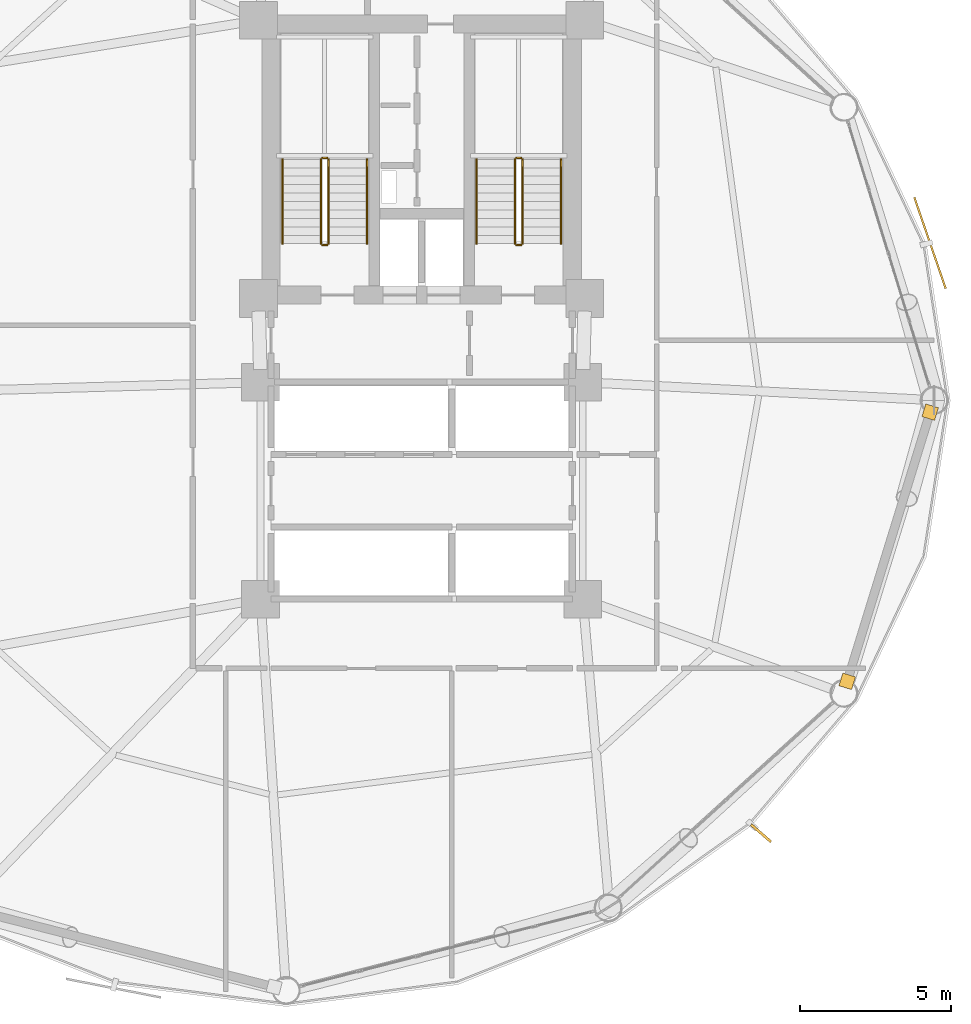
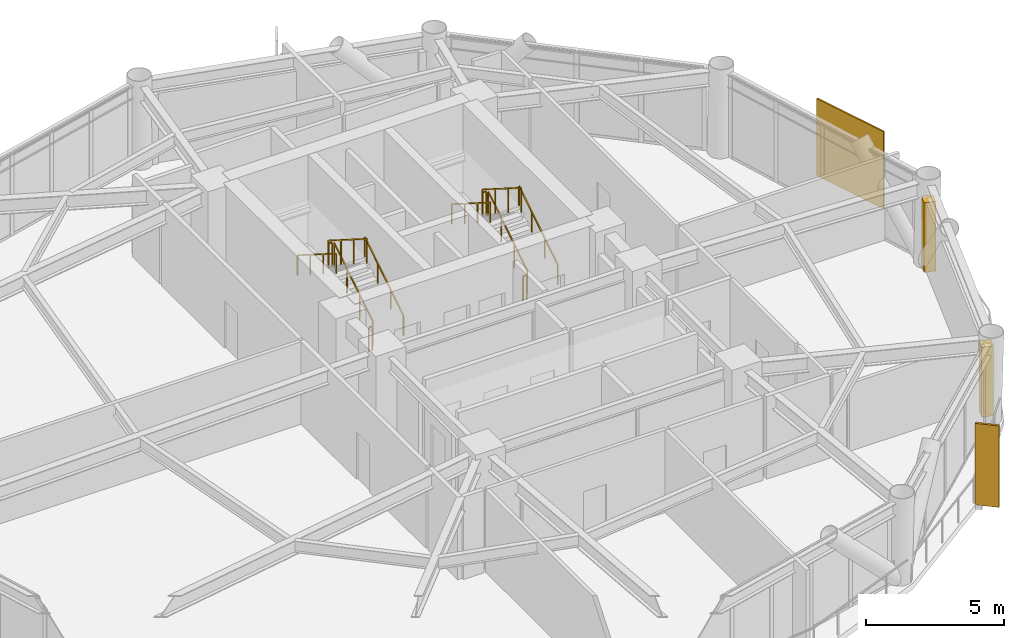
# One storey, part 24 of 25: 12 railings, 2 coverings, 2 shading devices.
"""IFC4 building model written with IfcOpenShell, lengths in metres."""

from ifc_helpers import new_model, si_unit, direction, frame, origin, origin_2d, place, context, subcontext, project, spatial, rectangle, extrude, source, transform, mapped, material, layer, layer_set, type_object, type_shapes, element, save


model = new_model("IFC4")

# Units and contexts
model_context = context("Model", 3, precision=1e-05, world=origin(), true_north=direction((0.0, 1.0)))
body_context = subcontext(model_context, "Body", "Model", "MODEL_VIEW")
ifc_project = project(units=[si_unit("LENGTHUNIT", "METRE"), si_unit("AREAUNIT", "SQUARE_METRE"), si_unit("VOLUMEUNIT", "CUBIC_METRE"), si_unit("PLANEANGLEUNIT", "RADIAN"), si_unit("MASSUNIT", "GRAM", prefix="KILO")], contexts=[model_context])

# Site, building, storey
site_placement = place(None, origin())
site = spatial("IfcSite", under=ifc_project, at=site_placement, CompositionType="ELEMENT")
building_placement = place(site_placement, origin())
building = spatial("IfcBuilding", under=site, at=building_placement, Name="Varnakorn Sky Granary", CompositionType="ELEMENT")
storey_placement = place(building_placement, frame((0.0, 0.0, 62.699951171875)))
storey = spatial("IfcBuildingStorey", under=building, at=storey_placement, Name="L15", CompositionType="ELEMENT", Elevation=62.699951171875)

# Railings
ifc_material_1 = material(Name="Brushed Stainless Steel 316", Category="steel")
railing_type_1 = type_object("IfcRailingType", Name="RL-STAIR-1100", PredefinedType="GUARDRAIL", material=ifc_material_1)
railing_1_placement = place(storey_placement, frame((-0.090087890625, 5.199951171875, 0.17724609375)))
element("IfcRailing", 1, at=railing_1_placement, inside=storey, type_object=railing_type_1, Name="L15 ST-1 stair guard 1", PredefinedType="GUARDRAIL", context=body_context, shape_type="SweptSolid", body=[
    extrude(rectangle(XDim=0.048095703125, YDim=0.048095703125, at=origin_2d()), frame((0.0, 0.0, 1.076171875), z_axis=(0.0, 0.844908973607, 0.534910110503), x_axis=(-1.0, 0.0, 0.0)), (0.0, 0.0, 1.0), 3.31396484375),
    extrude(rectangle(XDim=0.0419921875, YDim=0.0419921875, at=origin_2d()), origin(), (0.0, 0.0, 1.0), 1.048095703125),
    extrude(rectangle(XDim=0.0419921875, YDim=0.0419921875, at=origin_2d()), frame((0.0, 0.933349609375, 0.5908203125)), (0.0, 0.0, 1.0), 1.048095703125),
    extrude(rectangle(XDim=0.0419921875, YDim=0.0419921875, at=origin_2d()), frame((0.0, 1.86669921875, 1.181884765625)), (0.0, 0.0, 1.0), 1.048095703125),
    extrude(rectangle(XDim=0.0419921875, YDim=0.0419921875, at=origin_2d()), frame((0.0, 2.800048828125, 1.772705078125)), (0.0, 0.0, 1.0), 1.048095703125),
])
railing_2_placement = place(storey_placement, frame((-0.139892578125, 8.050048828125, 1.949951171875)))
element("IfcRailing", 2, at=railing_2_placement, inside=storey, type_object=railing_type_1, Name="L15 ST-1 stair guard 2", PredefinedType="GUARDRAIL", context=body_context, shape_type="SweptSolid", body=[
    extrude(rectangle(XDim=0.048095703125, YDim=0.048095703125, at=origin_2d()), frame((0.0, 0.0, 1.076171875), z_axis=(-1.0, 0.0, 0.0), x_axis=(0.0, -1.0, 0.0)), (0.0, 0.0, 1.0), 0.150146484375),
    extrude(rectangle(XDim=0.0419921875, YDim=0.0419921875, at=origin_2d()), origin(), (0.0, 0.0, 1.0), 1.048095703125),
    extrude(rectangle(XDim=0.0419921875, YDim=0.0419921875, at=origin_2d()), frame((-0.150146484375, 0.0, 0.0)), (0.0, 0.0, 1.0), 1.048095703125),
])
railing_3_placement = place(storey_placement, frame((-0.340087890625, 8.0, 2.12744140625)))
element("IfcRailing", 3, at=railing_3_placement, inside=storey, type_object=railing_type_1, Name="L15 ST-1 stair guard 3", PredefinedType="GUARDRAIL", context=body_context, shape_type="SweptSolid", body=[
    extrude(rectangle(XDim=0.048095703125, YDim=0.048095703125, at=origin_2d()), frame((0.0, 0.0, 1.076171875), z_axis=(0.0, -0.844908973607, 0.534910110503), x_axis=(1.0, 0.0, 0.0)), (0.0, 0.0, 1.0), 3.31396484375),
    extrude(rectangle(XDim=0.0419921875, YDim=0.0419921875, at=origin_2d()), origin(), (0.0, 0.0, 1.0), 1.048095703125),
    extrude(rectangle(XDim=0.0419921875, YDim=0.0419921875, at=origin_2d()), frame((0.0, -0.933349609375, 0.5908203125)), (0.0, 0.0, 1.0), 1.048095703125),
    extrude(rectangle(XDim=0.0419921875, YDim=0.0419921875, at=origin_2d()), frame((0.0, -1.86669921875, 1.181884765625)), (0.0, 0.0, 1.0), 1.048095703125),
    extrude(rectangle(XDim=0.0419921875, YDim=0.0419921875, at=origin_2d()), frame((0.0, -2.800048828125, 1.772705078125)), (0.0, 0.0, 1.0), 1.048095703125),
])
railing_4_placement = place(storey_placement, frame((-0.139892578125, 5.14990234375, 0.0)))
element("IfcRailing", 4, at=railing_4_placement, inside=storey, type_object=railing_type_1, Name="L15 ST-1 stair guard 4", PredefinedType="GUARDRAIL", context=body_context, shape_type="SweptSolid", body=[
    extrude(rectangle(XDim=0.048095703125, YDim=0.048095703125, at=origin_2d()), frame((0.0, 0.0, 1.076171875), z_axis=(-1.0, 0.0, 0.0), x_axis=(0.0, -1.0, 0.0)), (0.0, 0.0, 1.0), 0.150146484375),
    extrude(rectangle(XDim=0.0419921875, YDim=0.0419921875, at=origin_2d()), origin(), (0.0, 0.0, 1.0), 1.048095703125),
    extrude(rectangle(XDim=0.0419921875, YDim=0.0419921875, at=origin_2d()), frame((-0.150146484375, 0.0, 0.0)), (0.0, 0.0, 1.0), 1.048095703125),
])
railing_5_placement = place(storey_placement, frame((6.35009765625, 5.199951171875, 0.17724609375)))
element("IfcRailing", 5, at=railing_5_placement, inside=storey, type_object=railing_type_1, Name="L15 ST-2 stair guard 1", PredefinedType="GUARDRAIL", context=body_context, shape_type="SweptSolid", body=[
    extrude(rectangle(XDim=0.048095703125, YDim=0.048095703125, at=origin_2d()), frame((0.0, 0.0, 1.076171875), z_axis=(0.0, 0.844908973607, 0.534910110503), x_axis=(-1.0, 0.0, 0.0)), (0.0, 0.0, 1.0), 3.31396484375),
    extrude(rectangle(XDim=0.0419921875, YDim=0.0419921875, at=origin_2d()), origin(), (0.0, 0.0, 1.0), 1.048095703125),
    extrude(rectangle(XDim=0.0419921875, YDim=0.0419921875, at=origin_2d()), frame((0.0, 0.933349609375, 0.5908203125)), (0.0, 0.0, 1.0), 1.048095703125),
    extrude(rectangle(XDim=0.0419921875, YDim=0.0419921875, at=origin_2d()), frame((0.0, 1.86669921875, 1.181884765625)), (0.0, 0.0, 1.0), 1.048095703125),
    extrude(rectangle(XDim=0.0419921875, YDim=0.0419921875, at=origin_2d()), frame((0.0, 2.800048828125, 1.772705078125)), (0.0, 0.0, 1.0), 1.048095703125),
])
railing_6_placement = place(storey_placement, frame((6.300048828125, 8.050048828125, 1.949951171875)))
element("IfcRailing", 6, at=railing_6_placement, inside=storey, type_object=railing_type_1, Name="L15 ST-2 stair guard 2", PredefinedType="GUARDRAIL", context=body_context, shape_type="SweptSolid", body=[
    extrude(rectangle(XDim=0.048095703125, YDim=0.048095703125, at=origin_2d()), frame((0.0, 0.0, 1.076171875), z_axis=(-1.0, 0.0, 0.0), x_axis=(0.0, -1.0, 0.0)), (0.0, 0.0, 1.0), 0.150146484375),
    extrude(rectangle(XDim=0.0419921875, YDim=0.0419921875, at=origin_2d()), origin(), (0.0, 0.0, 1.0), 1.048095703125),
    extrude(rectangle(XDim=0.0419921875, YDim=0.0419921875, at=origin_2d()), frame((-0.150146484375, 0.0, 0.0)), (0.0, 0.0, 1.0), 1.048095703125),
])
railing_7_placement = place(storey_placement, frame((6.10009765625, 8.0, 2.12744140625)))
element("IfcRailing", 7, at=railing_7_placement, inside=storey, type_object=railing_type_1, Name="L15 ST-2 stair guard 3", PredefinedType="GUARDRAIL", context=body_context, shape_type="SweptSolid", body=[
    extrude(rectangle(XDim=0.048095703125, YDim=0.048095703125, at=origin_2d()), frame((0.0, 0.0, 1.076171875), z_axis=(0.0, -0.844908973607, 0.534910110503), x_axis=(1.0, 0.0, 0.0)), (0.0, 0.0, 1.0), 3.31396484375),
    extrude(rectangle(XDim=0.0419921875, YDim=0.0419921875, at=origin_2d()), origin(), (0.0, 0.0, 1.0), 1.048095703125),
    extrude(rectangle(XDim=0.0419921875, YDim=0.0419921875, at=origin_2d()), frame((0.0, -0.933349609375, 0.5908203125)), (0.0, 0.0, 1.0), 1.048095703125),
    extrude(rectangle(XDim=0.0419921875, YDim=0.0419921875, at=origin_2d()), frame((0.0, -1.86669921875, 1.181884765625)), (0.0, 0.0, 1.0), 1.048095703125),
    extrude(rectangle(XDim=0.0419921875, YDim=0.0419921875, at=origin_2d()), frame((0.0, -2.800048828125, 1.772705078125)), (0.0, 0.0, 1.0), 1.048095703125),
])
railing_8_placement = place(storey_placement, frame((6.300048828125, 5.14990234375, 0.0)))
element("IfcRailing", 8, at=railing_8_placement, inside=storey, type_object=railing_type_1, Name="L15 ST-2 stair guard 4", PredefinedType="GUARDRAIL", context=body_context, shape_type="SweptSolid", body=[
    extrude(rectangle(XDim=0.048095703125, YDim=0.048095703125, at=origin_2d()), frame((0.0, 0.0, 1.076171875), z_axis=(-1.0, 0.0, 0.0), x_axis=(0.0, -1.0, 0.0)), (0.0, 0.0, 1.0), 0.150146484375),
    extrude(rectangle(XDim=0.0419921875, YDim=0.0419921875, at=origin_2d()), origin(), (0.0, 0.0, 1.0), 1.048095703125),
    extrude(rectangle(XDim=0.0419921875, YDim=0.0419921875, at=origin_2d()), frame((-0.150146484375, 0.0, 0.0)), (0.0, 0.0, 1.0), 1.048095703125),
])
railing_type_2 = type_object("IfcRailingType", Name="RL-STAIR-920", PredefinedType="HANDRAIL", material=ifc_material_1)
railing_9_placement = place(storey_placement, frame((1.18994140625, 5.199951171875, 0.17724609375)))
element("IfcRailing", 9, at=railing_9_placement, inside=storey, type_object=railing_type_2, Name="L15 ST-1 stair handrail 1", PredefinedType="HANDRAIL", context=body_context, shape_type="SweptSolid", body=[
    extrude(rectangle(XDim=0.048095703125, YDim=0.048095703125, at=origin_2d()), frame((0.0, 0.0, 0.8759765625), z_axis=(0.0, 0.844908973607, 0.534910110503), x_axis=(-1.0, 0.0, 0.0)), (0.0, 0.0, 1.0), 3.31396484375),
    extrude(rectangle(XDim=0.0419921875, YDim=0.0419921875, at=origin_2d()), origin(), (0.0, 0.0, 1.0), 0.847900390625),
    extrude(rectangle(XDim=0.0419921875, YDim=0.0419921875, at=origin_2d()), frame((0.0, 0.933349609375, 0.5908203125)), (0.0, 0.0, 1.0), 0.847900390625),
    extrude(rectangle(XDim=0.0419921875, YDim=0.0419921875, at=origin_2d()), frame((0.0, 1.86669921875, 1.181884765625)), (0.0, 0.0, 1.0), 0.847900390625),
    extrude(rectangle(XDim=0.0419921875, YDim=0.0419921875, at=origin_2d()), frame((0.0, 2.800048828125, 1.772705078125)), (0.0, 0.0, 1.0), 0.847900390625),
])
railing_10_placement = place(storey_placement, frame((-1.6201171875, 8.0, 2.12744140625)))
element("IfcRailing", 10, at=railing_10_placement, inside=storey, type_object=railing_type_2, Name="L15 ST-1 stair handrail 2", PredefinedType="HANDRAIL", context=body_context, shape_type="SweptSolid", body=[
    extrude(rectangle(XDim=0.048095703125, YDim=0.048095703125, at=origin_2d()), frame((0.0, 0.0, 0.8759765625), z_axis=(0.0, -0.844908973607, 0.534910110503), x_axis=(1.0, 0.0, 0.0)), (0.0, 0.0, 1.0), 3.31396484375),
    extrude(rectangle(XDim=0.0419921875, YDim=0.0419921875, at=origin_2d()), origin(), (0.0, 0.0, 1.0), 0.847900390625),
    extrude(rectangle(XDim=0.0419921875, YDim=0.0419921875, at=origin_2d()), frame((0.0, -0.933349609375, 0.5908203125)), (0.0, 0.0, 1.0), 0.847900390625),
    extrude(rectangle(XDim=0.0419921875, YDim=0.0419921875, at=origin_2d()), frame((0.0, -1.86669921875, 1.181884765625)), (0.0, 0.0, 1.0), 0.847900390625),
    extrude(rectangle(XDim=0.0419921875, YDim=0.0419921875, at=origin_2d()), frame((0.0, -2.800048828125, 1.772705078125)), (0.0, 0.0, 1.0), 0.847900390625),
])
railing_11_placement = place(storey_placement, frame((7.6298828125, 5.199951171875, 0.17724609375)))
element("IfcRailing", 11, at=railing_11_placement, inside=storey, type_object=railing_type_2, Name="L15 ST-2 stair handrail 1", PredefinedType="HANDRAIL", context=body_context, shape_type="SweptSolid", body=[
    extrude(rectangle(XDim=0.048095703125, YDim=0.048095703125, at=origin_2d()), frame((0.0, 0.0, 0.8759765625), z_axis=(0.0, 0.844908973607, 0.534910110503), x_axis=(-1.0, 0.0, 0.0)), (0.0, 0.0, 1.0), 3.31396484375),
    extrude(rectangle(XDim=0.0419921875, YDim=0.0419921875, at=origin_2d()), origin(), (0.0, 0.0, 1.0), 0.847900390625),
    extrude(rectangle(XDim=0.0419921875, YDim=0.0419921875, at=origin_2d()), frame((0.0, 0.933349609375, 0.5908203125)), (0.0, 0.0, 1.0), 0.847900390625),
    extrude(rectangle(XDim=0.0419921875, YDim=0.0419921875, at=origin_2d()), frame((0.0, 1.86669921875, 1.181884765625)), (0.0, 0.0, 1.0), 0.847900390625),
    extrude(rectangle(XDim=0.0419921875, YDim=0.0419921875, at=origin_2d()), frame((0.0, 2.800048828125, 1.772705078125)), (0.0, 0.0, 1.0), 0.847900390625),
])
railing_12_placement = place(storey_placement, frame((4.820068359375, 8.0, 2.12744140625)))
element("IfcRailing", 12, at=railing_12_placement, inside=storey, type_object=railing_type_2, Name="L15 ST-2 stair handrail 2", PredefinedType="HANDRAIL", context=body_context, shape_type="SweptSolid", body=[
    extrude(rectangle(XDim=0.048095703125, YDim=0.048095703125, at=origin_2d()), frame((0.0, 0.0, 0.8759765625), z_axis=(0.0, -0.844908973607, 0.534910110503), x_axis=(1.0, 0.0, 0.0)), (0.0, 0.0, 1.0), 3.31396484375),
    extrude(rectangle(XDim=0.0419921875, YDim=0.0419921875, at=origin_2d()), origin(), (0.0, 0.0, 1.0), 0.847900390625),
    extrude(rectangle(XDim=0.0419921875, YDim=0.0419921875, at=origin_2d()), frame((0.0, -0.933349609375, 0.5908203125)), (0.0, 0.0, 1.0), 0.847900390625),
    extrude(rectangle(XDim=0.0419921875, YDim=0.0419921875, at=origin_2d()), frame((0.0, -1.86669921875, 1.181884765625)), (0.0, 0.0, 1.0), 0.847900390625),
    extrude(rectangle(XDim=0.0419921875, YDim=0.0419921875, at=origin_2d()), frame((0.0, -2.800048828125, 1.772705078125)), (0.0, 0.0, 1.0), 0.847900390625),
])

# Shading device
ifc_material_2 = material(Name="Anodised Bronze Aluminium Alloy 6063-T6", Category="aluminium")
shading_device_type_1 = type_object("IfcShadingDeviceType", Name="SH-FIN-01", PredefinedType="USERDEFINED", material=ifc_material_2)
shared_shape_1 = source(origin(), body_context, "Body", "SweptSolid", [
    extrude(rectangle(XDim=0.0849609375, YDim=0.8798828125, at=origin_2d()), origin(), (0.0, 0.0, 1.0), 3.60009765625),
])
type_shapes(shading_device_type_1, [shared_shape_1])
shading_device_1_placement = place(storey_placement, frame((14.26806640625, -14.374267578125, -0.0400390625), z_axis=(0.0, 0.0, 1.0), x_axis=(0.654424889616, 0.756127015686, 0.0)))
element("IfcShadingDevice", 13, at=shading_device_1_placement, inside=storey, type_object=shading_device_type_1, Name="Bronze Solar-Tracking Vertical Blade FIN L15-11", ObjectType="FIN", PredefinedType="USERDEFINED", context=body_context, shape_type="MappedRepresentation", body=[
    mapped(shared_shape_1, transform((0.0, 0.0, 0.0), x_axis=(1.0, 0.0, 0.0), y_axis=(0.0, 1.0, 0.0), z_axis=(0.0, 0.0, 1.0), scale=1.0)),
])

# Coverings
ifc_layer = layer(ifc_material_2, 0.050048828125, Name="Anodised Bronze Aluminium Alloy 6063-T6")
ifc_layer_set = layer_set([ifc_layer], Name="Anodised Bronze Aluminium Alloy 6063-T6")
covering_type = type_object("IfcCoveringType", Name="CV-CLAD-50", PredefinedType="CLADDING", material=ifc_layer_set)
shared_shape_2 = source(origin(), body_context, "Body", "SweptSolid", [
    extrude(rectangle(XDim=0.43994140625, YDim=0.43994140625, at=origin_2d()), origin(), (0.0, 0.0, 1.0), 3.080078125),
])
type_shapes(covering_type, [shared_shape_2])
for number, where, z_axis, x_axis, name in (
    (14, (19.884521484375, -0.393798828125, -0.02001953125), (0.0, 0.0, 1.0), (-0.294707522925, -0.955587503022, 0.0), "Bronze Corner Pilaster Closure L15-P12-A"),
    (15, (17.129150390625, -9.330322265625, -0.02001953125), (0.0, 0.0, 1.0), (-0.294707522925, -0.955587503022, 0.0), "Bronze Corner Pilaster Closure L15-P12-B"),
):
    element("IfcCovering", number, at=place(storey_placement, frame(where, z_axis=z_axis, x_axis=x_axis)), inside=storey, type_object=covering_type, Name=name, PredefinedType="CLADDING", context=body_context, shape_type="MappedRepresentation", body=[
        mapped(shared_shape_2, transform((0.0, 0.0, 0.0), x_axis=(1.0, 0.0, 0.0), y_axis=(0.0, 1.0, 0.0), z_axis=(0.0, 0.0, 1.0), scale=1.0)),
    ])

# Shading device
shading_device_type_2 = type_object("IfcShadingDeviceType", Name="SH-SCR-01", PredefinedType="USERDEFINED", material=ifc_material_2)
shared_shape_3 = source(origin(), body_context, "Body", "SweptSolid", [
    extrude(rectangle(XDim=3.199951171875, YDim=0.06494140625, at=origin_2d()), origin(), (0.0, 0.0, 1.0), 3.39990234375),
])
type_shapes(shading_device_type_2, [shared_shape_3])
shading_device_2_placement = place(storey_placement, frame((19.878173828125, 5.22509765625, -0.039794921875), z_axis=(0.0, 0.0, 1.0), x_axis=(-0.325311906299, 0.94560677008, 0.0)))
element("IfcShadingDevice", 16, at=shading_device_2_placement, inside=storey, type_object=shading_device_type_2, Name="Perforated Bronze Solar Screen Panel SCREEN L15-01", ObjectType="SCREEN", PredefinedType="USERDEFINED", context=body_context, shape_type="MappedRepresentation", body=[
    mapped(shared_shape_3, transform((0.0, 0.0, 0.0), x_axis=(1.0, 0.0, 0.0), y_axis=(0.0, 1.0, 0.0), z_axis=(0.0, 0.0, 1.0), scale=1.0)),
])

save(model, "model.ifc")
